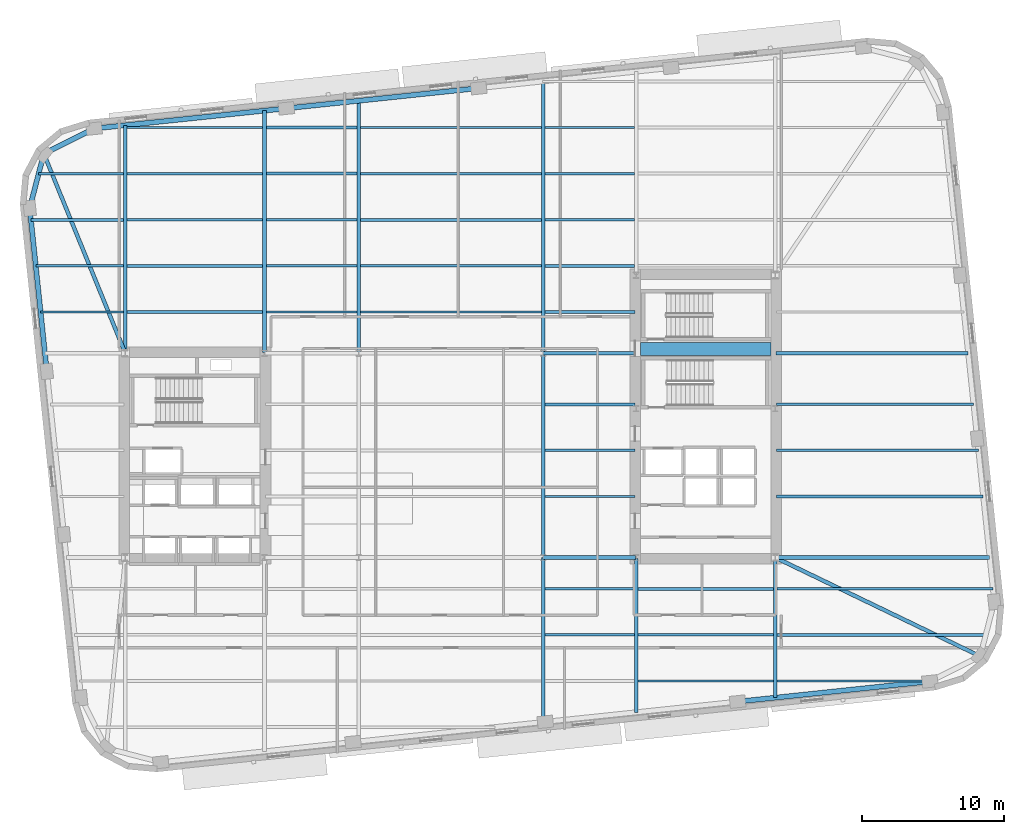
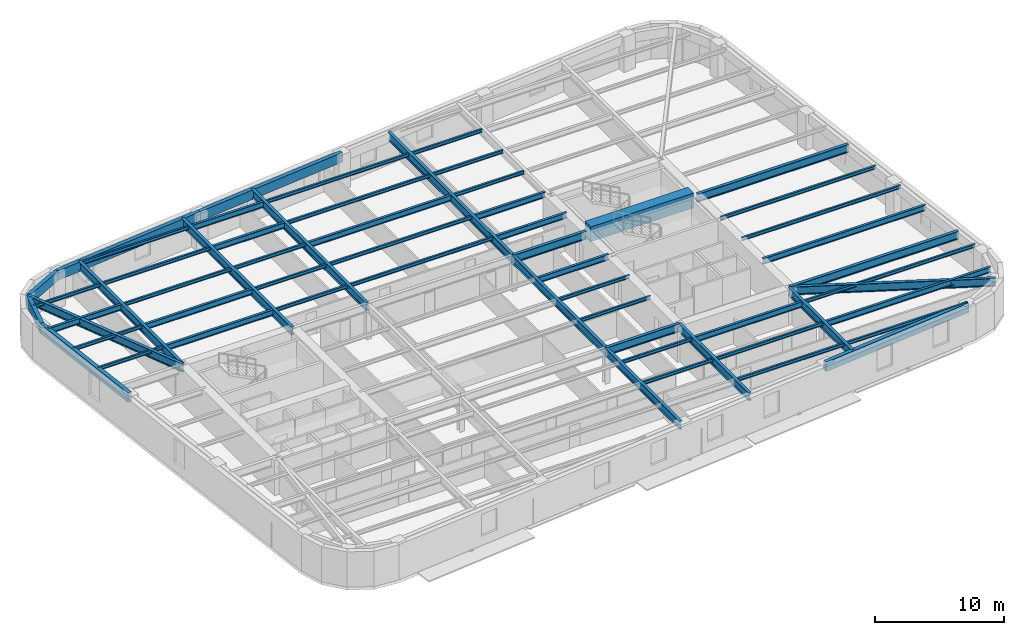
# One storey, part 2 of 12: 59 beams.
"""IFC4 building model written with IfcOpenShell, lengths in metres."""

from ifc_helpers import new_model, si_unit, direction, frame, origin, origin_2d, place, context, subcontext, project, spatial, rectangle, hollow_rectangle, i_section, extrude, material, material_profile, profile_set, type_object, element, save


model = new_model("IFC4")

# Units and contexts
model_context = context("Model", 3, precision=1e-05, world=origin(), true_north=direction((0.0, 1.0)))
body_context = subcontext(model_context, "Body", "Model", "MODEL_VIEW")
ifc_project = project(units=[si_unit("LENGTHUNIT", "METRE"), si_unit("AREAUNIT", "SQUARE_METRE"), si_unit("VOLUMEUNIT", "CUBIC_METRE"), si_unit("PLANEANGLEUNIT", "RADIAN"), si_unit("MASSUNIT", "GRAM", prefix="KILO")], contexts=[model_context])

# Site, building, storey
site_placement = place(None, origin())
site = spatial("IfcSite", under=ifc_project, at=site_placement, CompositionType="ELEMENT")
building_placement = place(site_placement, origin())
building = spatial("IfcBuilding", under=site, at=building_placement, Name="Kolvaren Arena Tower", CompositionType="ELEMENT")
storey_placement = place(building_placement, frame((0.0, 0.0, 149.5)))
storey = spatial("IfcBuildingStorey", under=building, at=storey_placement, Name="L35", CompositionType="ELEMENT", Elevation=149.5)

# Beams
ifc_material_1 = material(Name="Steel CSA G40.21 350W", Category="steel")
ifc_material_profile_1 = material_profile(ifc_material_1, i_section(OverallWidth=0.2119140625, OverallDepth=0.54296875, WebThickness=0.01318359375, FlangeThickness=0.0244140625, FilletRadius=0.013916015625, at=origin_2d()), Name="W530x150")
ifc_profile_set_1 = profile_set([ifc_material_profile_1], Name="Steel CSA G40.21 350W")
beam_type_1 = type_object("IfcBeamType", Name="BEAM-F1", PredefinedType="BEAM", material=ifc_profile_set_1)
beam_1_placement = place(storey_placement, frame((60.485107421875, 14.0, 3.05859375), z_axis=(1.0, 0.0, 0.0), x_axis=(0.0, 1.0, 0.0)))
element("IfcBeam", 1, at=beam_1_placement, inside=storey, type_object=beam_type_1, Name="Composite Floor Beam (L35)", PredefinedType="BEAM", context=body_context, shape_type="SweptSolid", body=[
    extrude(i_section(OverallWidth=0.2119140625, OverallDepth=0.54296875, WebThickness=0.01318359375, FlangeThickness=0.0244140625, FilletRadius=0.013916015625, at=origin_2d()), origin(), (0.0, 0.0, 1.0), 14.69677734375),
])
beam_2_placement = place(storey_placement, frame((50.68505859375, 17.25, 3.05859375), z_axis=(1.0, 0.0, 0.0), x_axis=(0.0, 1.0, 0.0)))
element("IfcBeam", 2, at=beam_2_placement, inside=storey, type_object=beam_type_1, Name="Composite Floor Beam (L35)", PredefinedType="BEAM", context=body_context, shape_type="SweptSolid", body=[
    extrude(i_section(OverallWidth=0.2119140625, OverallDepth=0.54296875, WebThickness=0.01318359375, FlangeThickness=0.0244140625, FilletRadius=0.013916015625, at=origin_2d()), origin(), (0.0, 0.0, 1.0), 9.530029296875),
])
beam_3_placement = place(storey_placement, frame((60.445068359375, 23.75, 3.05859375), z_axis=(1.0, 0.0, 0.0), x_axis=(0.0, 1.0, 0.0)))
element("IfcBeam", 3, at=beam_3_placement, inside=storey, type_object=beam_type_1, Name="Composite Floor Beam (L35)", PredefinedType="BEAM", context=body_context, shape_type="SweptSolid", body=[
    extrude(i_section(OverallWidth=0.2119140625, OverallDepth=0.54296875, WebThickness=0.01318359375, FlangeThickness=0.0244140625, FilletRadius=0.013916015625, at=origin_2d()), origin(), (0.0, 0.0, 1.0), 14.56103515625),
])
beam_4_placement = place(storey_placement, frame((44.135009765625, 30.25, 3.05859375), z_axis=(1.0, 0.0, 0.0), x_axis=(0.0, 1.0, 0.0)))
element("IfcBeam", 4, at=beam_4_placement, inside=storey, type_object=beam_type_1, Name="Composite Floor Beam (L35)", PredefinedType="BEAM", context=body_context, shape_type="SweptSolid", body=[
    extrude(i_section(OverallWidth=0.2119140625, OverallDepth=0.54296875, WebThickness=0.01318359375, FlangeThickness=0.0244140625, FilletRadius=0.013916015625, at=origin_2d()), origin(), (0.0, 0.0, 1.0), 6.320068359375),
])
beam_5_placement = place(storey_placement, frame((14.68505859375, 36.75, 3.05859375), z_axis=(1.0, 0.0, 0.0), x_axis=(0.0, 1.0, 0.0)))
element("IfcBeam", 5, at=beam_5_placement, inside=storey, type_object=beam_type_1, Name="Composite Floor Beam (L35)", PredefinedType="BEAM", context=body_context, shape_type="SweptSolid", body=[
    extrude(i_section(OverallWidth=0.2119140625, OverallDepth=0.54296875, WebThickness=0.01318359375, FlangeThickness=0.0244140625, FilletRadius=0.013916015625, at=origin_2d()), origin(), (0.0, 0.0, 1.0), 9.530029296875),
])
beam_6_placement = place(storey_placement, frame((44.135009765625, 36.75, 3.05859375), z_axis=(1.0, 0.0, 0.0), x_axis=(0.0, 1.0, 0.0)))
element("IfcBeam", 6, at=beam_6_placement, inside=storey, type_object=beam_type_1, Name="Composite Floor Beam (L35)", PredefinedType="BEAM", context=body_context, shape_type="SweptSolid", body=[
    extrude(i_section(OverallWidth=0.2119140625, OverallDepth=0.54296875, WebThickness=0.01318359375, FlangeThickness=0.0244140625, FilletRadius=0.013916015625, at=origin_2d()), origin(), (0.0, 0.0, 1.0), 6.320068359375),
])
beam_7_placement = place(storey_placement, frame((14.68505859375, 40.0, 3.05859375), z_axis=(1.0, 0.0, 0.0), x_axis=(0.0, 1.0, 0.0)))
element("IfcBeam", 7, at=beam_7_placement, inside=storey, type_object=beam_type_1, Name="Composite Floor Beam (L35)", PredefinedType="BEAM", context=body_context, shape_type="SweptSolid", body=[
    extrude(i_section(OverallWidth=0.2119140625, OverallDepth=0.54296875, WebThickness=0.01318359375, FlangeThickness=0.0244140625, FilletRadius=0.013916015625, at=origin_2d()), origin(), (0.0, 0.0, 1.0), 9.530029296875),
])
beam_8_placement = place(storey_placement, frame((44.135009765625, 40.0, 3.05859375), z_axis=(1.0, 0.0, 0.0), x_axis=(0.0, 1.0, 0.0)))
element("IfcBeam", 8, at=beam_8_placement, inside=storey, type_object=beam_type_1, Name="Composite Floor Beam (L35)", PredefinedType="BEAM", context=body_context, shape_type="SweptSolid", body=[
    extrude(i_section(OverallWidth=0.2119140625, OverallDepth=0.54296875, WebThickness=0.01318359375, FlangeThickness=0.0244140625, FilletRadius=0.013916015625, at=origin_2d()), origin(), (0.0, 0.0, 1.0), 6.280029296875),
])
beam_9_placement = place(storey_placement, frame((7.900146484375, 43.25, 3.05859375), z_axis=(1.0, 0.0, 0.0), x_axis=(0.0, 1.0, 0.0)))
element("IfcBeam", 9, at=beam_9_placement, inside=storey, type_object=beam_type_1, Name="Composite Floor Beam (L35)", PredefinedType="BEAM", context=body_context, shape_type="SweptSolid", body=[
    extrude(i_section(OverallWidth=0.2119140625, OverallDepth=0.54296875, WebThickness=0.01318359375, FlangeThickness=0.0244140625, FilletRadius=0.013916015625, at=origin_2d()), origin(), (0.0, 0.0, 1.0), 6.514892578125),
])
beam_10_placement = place(storey_placement, frame((31.135009765625, 43.25, 3.05859375), z_axis=(1.0, 0.0, 0.0), x_axis=(0.0, 1.0, 0.0)))
element("IfcBeam", 10, at=beam_10_placement, inside=storey, type_object=beam_type_1, Name="Composite Floor Beam (L35)", PredefinedType="BEAM", context=body_context, shape_type="SweptSolid", body=[
    extrude(i_section(OverallWidth=0.2119140625, OverallDepth=0.54296875, WebThickness=0.01318359375, FlangeThickness=0.0244140625, FilletRadius=0.013916015625, at=origin_2d()), origin(), (0.0, 0.0, 1.0), 12.72998046875),
])
for number, where, z_axis, x_axis, name in (
    (11, (24.485107421875, 46.5, 3.05859375), (1.0, 0.0, 0.0), (0.0, 1.0, 0.0), "Composite Floor Beam (L35)"),
    (12, (24.485107421875, 49.75, 3.05859375), (1.0, 0.0, 0.0), (0.0, 1.0, 0.0), "Composite Floor Beam (L35)"),
):
    element("IfcBeam", number, at=place(storey_placement, frame(where, z_axis=z_axis, x_axis=x_axis)), inside=storey, type_object=beam_type_1, Name=name, PredefinedType="BEAM", context=body_context, shape_type="SweptSolid", body=[
        extrude(i_section(OverallWidth=0.2119140625, OverallDepth=0.54296875, WebThickness=0.01318359375, FlangeThickness=0.0244140625, FilletRadius=0.013916015625, at=origin_2d()), origin(), (0.0, 0.0, 1.0), 6.3798828125),
    ])
ifc_material_2 = material(Name="Concrete 75 MPa", Category="concrete")
ifc_material_profile_2 = material_profile(ifc_material_2, rectangle(XDim=0.89990234375, YDim=1.39990234375, at=origin_2d()), Name="RC-900x1400")
ifc_profile_set_2 = profile_set([ifc_material_profile_2], Name="Concrete 75 MPa")
beam_type_2 = type_object("IfcBeamType", Name="CB-CORE-1", PredefinedType="BEAM", material=ifc_profile_set_2)
beam_11_placement = place(storey_placement, frame((50.85009765625, 34.14990234375, 2.89990234375), z_axis=(1.0, 0.0, 0.0), x_axis=(0.0, 1.0, 0.0)))
element("IfcBeam", 13, at=beam_11_placement, inside=storey, type_object=beam_type_2, Name="East Core Coupling Beam (L35)", PredefinedType="BEAM", context=body_context, shape_type="SweptSolid", body=[
    extrude(rectangle(XDim=0.89990234375, YDim=1.39990234375, at=origin_2d()), origin(), (0.0, 0.0, 1.0), 9.199951171875),
])
ifc_material_profile_3 = material_profile(ifc_material_1, i_section(OverallWidth=0.27001953125, OverallDepth=0.77294921875, WebThickness=0.019287109375, FlangeThickness=0.033447265625, FilletRadius=0.01806640625, at=origin_2d()), Name="W760x257")
ifc_profile_set_3 = profile_set([ifc_material_profile_3], Name="Steel CSA G40.21 350W")
beam_type_3 = type_object("IfcBeamType", Name="GIRD-T1", PredefinedType="BEAM", material=ifc_profile_set_3)
beam_12_placement = place(storey_placement, frame((74.790283203125, 12.49267578125, 2.943603515625), z_axis=(-0.900889626424, 0.43404824732, 0.0), x_axis=(-0.43404824732, -0.900889626424, 0.0)))
element("IfcBeam", 14, at=beam_12_placement, inside=storey, type_object=beam_type_3, Name="Corner Diagonal Tie Girder (L35)", PredefinedType="BEAM", context=body_context, shape_type="SweptSolid", body=[
    extrude(i_section(OverallWidth=0.27001953125, OverallDepth=0.77294921875, WebThickness=0.019287109375, FlangeThickness=0.033447265625, FilletRadius=0.01806640625, at=origin_2d()), origin(), (0.0, 0.0, 1.0), 16.02880859375),
])
beam_13_placement = place(storey_placement, frame((8.8095703125, 47.9072265625, 2.943603515625), z_axis=(0.378059288681, -0.925781385772, 0.0), x_axis=(0.925781385772, 0.378059288681, 0.0)))
element("IfcBeam", 15, at=beam_13_placement, inside=storey, type_object=beam_type_3, Name="Corner Diagonal Tie Girder (L35)", PredefinedType="BEAM", context=body_context, shape_type="SweptSolid", body=[
    extrude(i_section(OverallWidth=0.27001953125, OverallDepth=0.77294921875, WebThickness=0.019287109375, FlangeThickness=0.033447265625, FilletRadius=0.01806640625, at=origin_2d()), origin(), (0.0, 0.0, 1.0), 15.18408203125),
])
beam_14_placement = place(storey_placement, frame((44.0, 19.449951171875, 2.943603515625), z_axis=(1.0, 0.0, 0.0), x_axis=(0.0, 1.0, 0.0)))
element("IfcBeam", 16, at=beam_14_placement, inside=storey, type_object=beam_type_3, Name="Primary Floor Girder (L35)", PredefinedType="BEAM", context=body_context, shape_type="SweptSolid", body=[
    extrude(i_section(OverallWidth=0.27001953125, OverallDepth=0.77294921875, WebThickness=0.019287109375, FlangeThickness=0.033447265625, FilletRadius=0.01806640625, at=origin_2d()), origin(), (0.0, 0.0, 1.0), 6.4951171875),
])
beam_15_placement = place(storey_placement, frame((60.405029296875, 19.449951171875, 2.943603515625), z_axis=(1.0, 0.0, 0.0), x_axis=(0.0, 1.0, 0.0)))
element("IfcBeam", 17, at=beam_15_placement, inside=storey, type_object=beam_type_3, Name="Primary Floor Girder (L35)", PredefinedType="BEAM", context=body_context, shape_type="SweptSolid", body=[
    extrude(i_section(OverallWidth=0.27001953125, OverallDepth=0.77294921875, WebThickness=0.019287109375, FlangeThickness=0.033447265625, FilletRadius=0.01806640625, at=origin_2d()), origin(), (0.0, 0.0, 1.0), 15.052978515625),
])
beam_16_placement = place(storey_placement, frame((44.0, 33.85009765625, 2.943603515625), z_axis=(1.0, 0.0, 0.0), x_axis=(0.0, 1.0, 0.0)))
element("IfcBeam", 18, at=beam_16_placement, inside=storey, type_object=beam_type_3, Name="Primary Floor Girder (L35)", PredefinedType="BEAM", context=body_context, shape_type="SweptSolid", body=[
    extrude(i_section(OverallWidth=0.27001953125, OverallDepth=0.77294921875, WebThickness=0.019287109375, FlangeThickness=0.033447265625, FilletRadius=0.01806640625, at=origin_2d()), origin(), (0.0, 0.0, 1.0), 6.4951171875),
])
beam_17_placement = place(storey_placement, frame((60.405029296875, 33.85009765625, 2.943603515625), z_axis=(1.0, 0.0, 0.0), x_axis=(0.0, 1.0, 0.0)))
element("IfcBeam", 19, at=beam_17_placement, inside=storey, type_object=beam_type_3, Name="Primary Floor Girder (L35)", PredefinedType="BEAM", context=body_context, shape_type="SweptSolid", body=[
    extrude(i_section(OverallWidth=0.27001953125, OverallDepth=0.77294921875, WebThickness=0.019287109375, FlangeThickness=0.033447265625, FilletRadius=0.01806640625, at=origin_2d()), origin(), (0.0, 0.0, 1.0), 13.53955078125),
])
beam_18_placement = place(storey_placement, frame((14.550048828125, 33.905029296875, 2.943603515625), z_axis=(0.0, 1.0, 0.0), x_axis=(-1.0, 0.0, 0.0)))
element("IfcBeam", 20, at=beam_18_placement, inside=storey, type_object=beam_type_3, Name="Primary Floor Girder (L35)", PredefinedType="BEAM", context=body_context, shape_type="SweptSolid", body=[
    extrude(i_section(OverallWidth=0.27001953125, OverallDepth=0.77294921875, WebThickness=0.019287109375, FlangeThickness=0.033447265625, FilletRadius=0.01806640625, at=origin_2d()), origin(), (0.0, 0.0, 1.0), 16.004638671875),
])
beam_19_placement = place(storey_placement, frame((24.35009765625, 33.905029296875, 2.943603515625), z_axis=(0.0, 1.0, 0.0), x_axis=(-1.0, 0.0, 0.0)))
element("IfcBeam", 21, at=beam_19_placement, inside=storey, type_object=beam_type_3, Name="Primary Floor Girder (L35)", PredefinedType="BEAM", context=body_context, shape_type="SweptSolid", body=[
    extrude(i_section(OverallWidth=0.27001953125, OverallDepth=0.77294921875, WebThickness=0.019287109375, FlangeThickness=0.033447265625, FilletRadius=0.01806640625, at=origin_2d()), origin(), (0.0, 0.0, 1.0), 17.03466796875),
])
beam_20_placement = place(storey_placement, frame((31.0, 33.85009765625, 2.943603515625), z_axis=(0.0, 1.0, 0.0), x_axis=(-1.0, 0.0, 0.0)))
element("IfcBeam", 22, at=beam_20_placement, inside=storey, type_object=beam_type_3, Name="Primary Floor Girder (L35)", PredefinedType="BEAM", context=body_context, shape_type="SweptSolid", body=[
    extrude(i_section(OverallWidth=0.27001953125, OverallDepth=0.77294921875, WebThickness=0.019287109375, FlangeThickness=0.033447265625, FilletRadius=0.01806640625, at=origin_2d()), origin(), (0.0, 0.0, 1.0), 17.788330078125),
])
beam_21_placement = place(storey_placement, frame((44.0, 7.857666015625, 2.943603515625), z_axis=(0.0, 1.0, 0.0), x_axis=(-1.0, 0.0, 0.0)))
element("IfcBeam", 23, at=beam_21_placement, inside=storey, type_object=beam_type_3, Name="Primary Floor Girder (L35)", PredefinedType="BEAM", context=body_context, shape_type="SweptSolid", body=[
    extrude(i_section(OverallWidth=0.27001953125, OverallDepth=0.77294921875, WebThickness=0.019287109375, FlangeThickness=0.033447265625, FilletRadius=0.01806640625, at=origin_2d()), origin(), (0.0, 0.0, 1.0), 11.59228515625),
])
beam_22_placement = place(storey_placement, frame((44.0, 19.449951171875, 2.943603515625), z_axis=(0.0, 1.0, 0.0), x_axis=(-1.0, 0.0, 0.0)))
element("IfcBeam", 24, at=beam_22_placement, inside=storey, type_object=beam_type_3, Name="Primary Floor Girder (L35)", PredefinedType="BEAM", context=body_context, shape_type="SweptSolid", body=[
    extrude(i_section(OverallWidth=0.27001953125, OverallDepth=0.77294921875, WebThickness=0.019287109375, FlangeThickness=0.033447265625, FilletRadius=0.01806640625, at=origin_2d()), origin(), (0.0, 0.0, 1.0), 14.400146484375),
])
beam_23_placement = place(storey_placement, frame((44.0, 33.85009765625, 2.943603515625), z_axis=(0.0, 1.0, 0.0), x_axis=(-1.0, 0.0, 0.0)))
element("IfcBeam", 25, at=beam_23_placement, inside=storey, type_object=beam_type_3, Name="Primary Floor Girder (L35)", PredefinedType="BEAM", context=body_context, shape_type="SweptSolid", body=[
    extrude(i_section(OverallWidth=0.27001953125, OverallDepth=0.77294921875, WebThickness=0.019287109375, FlangeThickness=0.033447265625, FilletRadius=0.01806640625, at=origin_2d()), origin(), (0.0, 0.0, 1.0), 19.15478515625),
])
beam_24_placement = place(storey_placement, frame((50.550048828125, 8.5458984375, 2.943603515625), z_axis=(0.0, 1.0, 0.0), x_axis=(-1.0, 0.0, 0.0)))
element("IfcBeam", 26, at=beam_24_placement, inside=storey, type_object=beam_type_3, Name="Primary Floor Girder (L35)", PredefinedType="BEAM", context=body_context, shape_type="SweptSolid", body=[
    extrude(i_section(OverallWidth=0.27001953125, OverallDepth=0.77294921875, WebThickness=0.019287109375, FlangeThickness=0.033447265625, FilletRadius=0.01806640625, at=origin_2d()), origin(), (0.0, 0.0, 1.0), 10.84912109375),
])
beam_25_placement = place(storey_placement, frame((60.35009765625, 9.575927734375, 2.943603515625), z_axis=(0.0, 1.0, 0.0), x_axis=(-1.0, 0.0, 0.0)))
element("IfcBeam", 27, at=beam_25_placement, inside=storey, type_object=beam_type_3, Name="Primary Floor Girder (L35)", PredefinedType="BEAM", context=body_context, shape_type="SweptSolid", body=[
    extrude(i_section(OverallWidth=0.27001953125, OverallDepth=0.77294921875, WebThickness=0.019287109375, FlangeThickness=0.033447265625, FilletRadius=0.01806640625, at=origin_2d()), origin(), (0.0, 0.0, 1.0), 9.819091796875),
])
ifc_material_profile_4 = material_profile(ifc_material_1, i_section(OverallWidth=0.1669921875, OverallDepth=0.31689453125, WebThickness=0.007568359375, FlangeThickness=0.01318359375, FilletRadius=0.010009765625, at=origin_2d()), Name="W310x52")
ifc_profile_set_4 = profile_set([ifc_material_profile_4], Name="Steel CSA G40.21 350W")
beam_type_4 = type_object("IfcBeamType", Name="JOIST-02", PredefinedType="JOIST", material=ifc_profile_set_4)
beam_26_placement = place(storey_placement, frame((50.68505859375, 10.75, 3.17138671875), z_axis=(1.0, 0.0, 0.0), x_axis=(0.0, 1.0, 0.0)))
element("IfcBeam", 28, at=beam_26_placement, inside=storey, type_object=beam_type_4, Name="Composite Floor Joist (L35)", PredefinedType="JOIST", context=body_context, shape_type="SweptSolid", body=[
    extrude(i_section(OverallWidth=0.1669921875, OverallDepth=0.31689453125, WebThickness=0.007568359375, FlangeThickness=0.01318359375, FilletRadius=0.010009765625, at=origin_2d()), origin(), (0.0, 0.0, 1.0), 9.530029296875),
])
beam_27_placement = place(storey_placement, frame((60.485107421875, 10.75, 3.17138671875), z_axis=(1.0, 0.0, 0.0), x_axis=(0.0, 1.0, 0.0)))
element("IfcBeam", 29, at=beam_27_placement, inside=storey, type_object=beam_type_4, Name="Composite Floor Joist (L35)", PredefinedType="JOIST", context=body_context, shape_type="SweptSolid", body=[
    extrude(i_section(OverallWidth=0.1669921875, OverallDepth=0.31689453125, WebThickness=0.007568359375, FlangeThickness=0.01318359375, FilletRadius=0.010009765625, at=origin_2d()), origin(), (0.0, 0.0, 1.0), 10.819580078125),
])
beam_28_placement = place(storey_placement, frame((44.135009765625, 14.0, 3.17138671875), z_axis=(1.0, 0.0, 0.0), x_axis=(0.0, 1.0, 0.0)))
element("IfcBeam", 30, at=beam_28_placement, inside=storey, type_object=beam_type_4, Name="Composite Floor Joist (L35)", PredefinedType="JOIST", context=body_context, shape_type="SweptSolid", body=[
    extrude(i_section(OverallWidth=0.1669921875, OverallDepth=0.31689453125, WebThickness=0.007568359375, FlangeThickness=0.01318359375, FilletRadius=0.010009765625, at=origin_2d()), origin(), (0.0, 0.0, 1.0), 6.280029296875),
])
beam_29_placement = place(storey_placement, frame((50.68505859375, 14.0, 3.17138671875), z_axis=(1.0, 0.0, 0.0), x_axis=(0.0, 1.0, 0.0)))
element("IfcBeam", 31, at=beam_29_placement, inside=storey, type_object=beam_type_4, Name="Composite Floor Joist (L35)", PredefinedType="JOIST", context=body_context, shape_type="SweptSolid", body=[
    extrude(i_section(OverallWidth=0.1669921875, OverallDepth=0.31689453125, WebThickness=0.007568359375, FlangeThickness=0.01318359375, FilletRadius=0.010009765625, at=origin_2d()), origin(), (0.0, 0.0, 1.0), 9.530029296875),
])
beam_30_placement = place(storey_placement, frame((44.135009765625, 17.25, 3.17138671875), z_axis=(1.0, 0.0, 0.0), x_axis=(0.0, 1.0, 0.0)))
element("IfcBeam", 32, at=beam_30_placement, inside=storey, type_object=beam_type_4, Name="Composite Floor Joist (L35)", PredefinedType="JOIST", context=body_context, shape_type="SweptSolid", body=[
    extrude(i_section(OverallWidth=0.1669921875, OverallDepth=0.31689453125, WebThickness=0.007568359375, FlangeThickness=0.01318359375, FilletRadius=0.010009765625, at=origin_2d()), origin(), (0.0, 0.0, 1.0), 6.280029296875),
])
beam_31_placement = place(storey_placement, frame((60.485107421875, 17.25, 3.17138671875), z_axis=(1.0, 0.0, 0.0), x_axis=(0.0, 1.0, 0.0)))
element("IfcBeam", 33, at=beam_31_placement, inside=storey, type_object=beam_type_4, Name="Composite Floor Joist (L35)", PredefinedType="JOIST", context=body_context, shape_type="SweptSolid", body=[
    extrude(i_section(OverallWidth=0.1669921875, OverallDepth=0.31689453125, WebThickness=0.007568359375, FlangeThickness=0.01318359375, FilletRadius=0.010009765625, at=origin_2d()), origin(), (0.0, 0.0, 1.0), 15.2041015625),
])
for number, where, z_axis, x_axis, name in (
    (34, (44.135009765625, 23.75, 3.17138671875), (1.0, 0.0, 0.0), (0.0, 1.0, 0.0), "Composite Floor Joist (L35)"),
    (35, (44.135009765625, 27.0, 3.17138671875), (1.0, 0.0, 0.0), (0.0, 1.0, 0.0), "Composite Floor Joist (L35)"),
):
    element("IfcBeam", number, at=place(storey_placement, frame(where, z_axis=z_axis, x_axis=x_axis)), inside=storey, type_object=beam_type_4, Name=name, PredefinedType="JOIST", context=body_context, shape_type="SweptSolid", body=[
        extrude(i_section(OverallWidth=0.1669921875, OverallDepth=0.31689453125, WebThickness=0.007568359375, FlangeThickness=0.01318359375, FilletRadius=0.010009765625, at=origin_2d()), origin(), (0.0, 0.0, 1.0), 6.320068359375),
    ])
beam_32_placement = place(storey_placement, frame((60.445068359375, 27.0, 3.17138671875), z_axis=(1.0, 0.0, 0.0), x_axis=(0.0, 1.0, 0.0)))
element("IfcBeam", 36, at=beam_32_placement, inside=storey, type_object=beam_type_4, Name="Composite Floor Joist (L35)", PredefinedType="JOIST", context=body_context, shape_type="SweptSolid", body=[
    extrude(i_section(OverallWidth=0.1669921875, OverallDepth=0.31689453125, WebThickness=0.007568359375, FlangeThickness=0.01318359375, FilletRadius=0.010009765625, at=origin_2d()), origin(), (0.0, 0.0, 1.0), 14.219482421875),
])
beam_33_placement = place(storey_placement, frame((60.445068359375, 30.25, 3.17138671875), z_axis=(1.0, 0.0, 0.0), x_axis=(0.0, 1.0, 0.0)))
element("IfcBeam", 37, at=beam_33_placement, inside=storey, type_object=beam_type_4, Name="Composite Floor Joist (L35)", PredefinedType="JOIST", context=body_context, shape_type="SweptSolid", body=[
    extrude(i_section(OverallWidth=0.1669921875, OverallDepth=0.31689453125, WebThickness=0.007568359375, FlangeThickness=0.01318359375, FilletRadius=0.010009765625, at=origin_2d()), origin(), (0.0, 0.0, 1.0), 13.8779296875),
])
beam_34_placement = place(storey_placement, frame((8.58349609375, 36.75, 3.17138671875), z_axis=(1.0, 0.0, 0.0), x_axis=(0.0, 1.0, 0.0)))
element("IfcBeam", 38, at=beam_34_placement, inside=storey, type_object=beam_type_4, Name="Composite Floor Joist (L35)", PredefinedType="JOIST", context=body_context, shape_type="SweptSolid", body=[
    extrude(i_section(OverallWidth=0.1669921875, OverallDepth=0.31689453125, WebThickness=0.007568359375, FlangeThickness=0.01318359375, FilletRadius=0.010009765625, at=origin_2d()), origin(), (0.0, 0.0, 1.0), 5.83154296875),
])
beam_35_placement = place(storey_placement, frame((24.485107421875, 36.75, 3.17138671875), z_axis=(1.0, 0.0, 0.0), x_axis=(0.0, 1.0, 0.0)))
element("IfcBeam", 39, at=beam_35_placement, inside=storey, type_object=beam_type_4, Name="Composite Floor Joist (L35)", PredefinedType="JOIST", context=body_context, shape_type="SweptSolid", body=[
    extrude(i_section(OverallWidth=0.1669921875, OverallDepth=0.31689453125, WebThickness=0.007568359375, FlangeThickness=0.01318359375, FilletRadius=0.010009765625, at=origin_2d()), origin(), (0.0, 0.0, 1.0), 6.3798828125),
])
beam_36_placement = place(storey_placement, frame((31.135009765625, 36.75, 3.17138671875), z_axis=(1.0, 0.0, 0.0), x_axis=(0.0, 1.0, 0.0)))
element("IfcBeam", 40, at=beam_36_placement, inside=storey, type_object=beam_type_4, Name="Composite Floor Joist (L35)", PredefinedType="JOIST", context=body_context, shape_type="SweptSolid", body=[
    extrude(i_section(OverallWidth=0.1669921875, OverallDepth=0.31689453125, WebThickness=0.007568359375, FlangeThickness=0.01318359375, FilletRadius=0.010009765625, at=origin_2d()), origin(), (0.0, 0.0, 1.0), 12.72998046875),
])
beam_37_placement = place(storey_placement, frame((8.24169921875, 40.0, 3.17138671875), z_axis=(1.0, 0.0, 0.0), x_axis=(0.0, 1.0, 0.0)))
element("IfcBeam", 41, at=beam_37_placement, inside=storey, type_object=beam_type_4, Name="Composite Floor Joist (L35)", PredefinedType="JOIST", context=body_context, shape_type="SweptSolid", body=[
    extrude(i_section(OverallWidth=0.1669921875, OverallDepth=0.31689453125, WebThickness=0.007568359375, FlangeThickness=0.01318359375, FilletRadius=0.010009765625, at=origin_2d()), origin(), (0.0, 0.0, 1.0), 6.17333984375),
])
beam_38_placement = place(storey_placement, frame((24.485107421875, 40.0, 3.17138671875), z_axis=(1.0, 0.0, 0.0), x_axis=(0.0, 1.0, 0.0)))
element("IfcBeam", 42, at=beam_38_placement, inside=storey, type_object=beam_type_4, Name="Composite Floor Joist (L35)", PredefinedType="JOIST", context=body_context, shape_type="SweptSolid", body=[
    extrude(i_section(OverallWidth=0.1669921875, OverallDepth=0.31689453125, WebThickness=0.007568359375, FlangeThickness=0.01318359375, FilletRadius=0.010009765625, at=origin_2d()), origin(), (0.0, 0.0, 1.0), 6.3798828125),
])
beam_39_placement = place(storey_placement, frame((31.135009765625, 40.0, 3.17138671875), z_axis=(1.0, 0.0, 0.0), x_axis=(0.0, 1.0, 0.0)))
element("IfcBeam", 43, at=beam_39_placement, inside=storey, type_object=beam_type_4, Name="Composite Floor Joist (L35)", PredefinedType="JOIST", context=body_context, shape_type="SweptSolid", body=[
    extrude(i_section(OverallWidth=0.1669921875, OverallDepth=0.31689453125, WebThickness=0.007568359375, FlangeThickness=0.01318359375, FilletRadius=0.010009765625, at=origin_2d()), origin(), (0.0, 0.0, 1.0), 12.72998046875),
])
beam_40_placement = place(storey_placement, frame((14.68505859375, 43.25, 3.17138671875), z_axis=(1.0, 0.0, 0.0), x_axis=(0.0, 1.0, 0.0)))
element("IfcBeam", 44, at=beam_40_placement, inside=storey, type_object=beam_type_4, Name="Composite Floor Joist (L35)", PredefinedType="JOIST", context=body_context, shape_type="SweptSolid", body=[
    extrude(i_section(OverallWidth=0.1669921875, OverallDepth=0.31689453125, WebThickness=0.007568359375, FlangeThickness=0.01318359375, FilletRadius=0.010009765625, at=origin_2d()), origin(), (0.0, 0.0, 1.0), 9.530029296875),
])
beam_41_placement = place(storey_placement, frame((24.485107421875, 43.25, 3.17138671875), z_axis=(1.0, 0.0, 0.0), x_axis=(0.0, 1.0, 0.0)))
element("IfcBeam", 45, at=beam_41_placement, inside=storey, type_object=beam_type_4, Name="Composite Floor Joist (L35)", PredefinedType="JOIST", context=body_context, shape_type="SweptSolid", body=[
    extrude(i_section(OverallWidth=0.1669921875, OverallDepth=0.31689453125, WebThickness=0.007568359375, FlangeThickness=0.01318359375, FilletRadius=0.010009765625, at=origin_2d()), origin(), (0.0, 0.0, 1.0), 6.3798828125),
])
beam_42_placement = place(storey_placement, frame((44.135009765625, 43.25, 3.17138671875), z_axis=(1.0, 0.0, 0.0), x_axis=(0.0, 1.0, 0.0)))
element("IfcBeam", 46, at=beam_42_placement, inside=storey, type_object=beam_type_4, Name="Composite Floor Joist (L35)", PredefinedType="JOIST", context=body_context, shape_type="SweptSolid", body=[
    extrude(i_section(OverallWidth=0.1669921875, OverallDepth=0.31689453125, WebThickness=0.007568359375, FlangeThickness=0.01318359375, FilletRadius=0.010009765625, at=origin_2d()), origin(), (0.0, 0.0, 1.0), 6.280029296875),
])
beam_43_placement = place(storey_placement, frame((8.444091796875, 46.5, 3.17138671875), z_axis=(1.0, 0.0, 0.0), x_axis=(0.0, 1.0, 0.0)))
element("IfcBeam", 47, at=beam_43_placement, inside=storey, type_object=beam_type_4, Name="Composite Floor Joist (L35)", PredefinedType="JOIST", context=body_context, shape_type="SweptSolid", body=[
    extrude(i_section(OverallWidth=0.1669921875, OverallDepth=0.31689453125, WebThickness=0.007568359375, FlangeThickness=0.01318359375, FilletRadius=0.010009765625, at=origin_2d()), origin(), (0.0, 0.0, 1.0), 5.970947265625),
])
beam_44_placement = place(storey_placement, frame((14.68505859375, 46.5, 3.17138671875), z_axis=(1.0, 0.0, 0.0), x_axis=(0.0, 1.0, 0.0)))
element("IfcBeam", 48, at=beam_44_placement, inside=storey, type_object=beam_type_4, Name="Composite Floor Joist (L35)", PredefinedType="JOIST", context=body_context, shape_type="SweptSolid", body=[
    extrude(i_section(OverallWidth=0.1669921875, OverallDepth=0.31689453125, WebThickness=0.007568359375, FlangeThickness=0.01318359375, FilletRadius=0.010009765625, at=origin_2d()), origin(), (0.0, 0.0, 1.0), 9.530029296875),
])
beam_45_placement = place(storey_placement, frame((31.135009765625, 46.5, 3.17138671875), z_axis=(1.0, 0.0, 0.0), x_axis=(0.0, 1.0, 0.0)))
element("IfcBeam", 49, at=beam_45_placement, inside=storey, type_object=beam_type_4, Name="Composite Floor Joist (L35)", PredefinedType="JOIST", context=body_context, shape_type="SweptSolid", body=[
    extrude(i_section(OverallWidth=0.1669921875, OverallDepth=0.31689453125, WebThickness=0.007568359375, FlangeThickness=0.01318359375, FilletRadius=0.010009765625, at=origin_2d()), origin(), (0.0, 0.0, 1.0), 12.72998046875),
])
beam_46_placement = place(storey_placement, frame((44.135009765625, 46.5, 3.17138671875), z_axis=(1.0, 0.0, 0.0), x_axis=(0.0, 1.0, 0.0)))
element("IfcBeam", 50, at=beam_46_placement, inside=storey, type_object=beam_type_4, Name="Composite Floor Joist (L35)", PredefinedType="JOIST", context=body_context, shape_type="SweptSolid", body=[
    extrude(i_section(OverallWidth=0.1669921875, OverallDepth=0.31689453125, WebThickness=0.007568359375, FlangeThickness=0.01318359375, FilletRadius=0.010009765625, at=origin_2d()), origin(), (0.0, 0.0, 1.0), 6.280029296875),
])
beam_47_placement = place(storey_placement, frame((14.68505859375, 49.75, 3.17138671875), z_axis=(1.0, 0.0, 0.0), x_axis=(0.0, 1.0, 0.0)))
element("IfcBeam", 51, at=beam_47_placement, inside=storey, type_object=beam_type_4, Name="Composite Floor Joist (L35)", PredefinedType="JOIST", context=body_context, shape_type="SweptSolid", body=[
    extrude(i_section(OverallWidth=0.1669921875, OverallDepth=0.31689453125, WebThickness=0.007568359375, FlangeThickness=0.01318359375, FilletRadius=0.010009765625, at=origin_2d()), origin(), (0.0, 0.0, 1.0), 9.530029296875),
])
beam_48_placement = place(storey_placement, frame((31.135009765625, 49.75, 3.17138671875), z_axis=(1.0, 0.0, 0.0), x_axis=(0.0, 1.0, 0.0)))
element("IfcBeam", 52, at=beam_48_placement, inside=storey, type_object=beam_type_4, Name="Composite Floor Joist (L35)", PredefinedType="JOIST", context=body_context, shape_type="SweptSolid", body=[
    extrude(i_section(OverallWidth=0.1669921875, OverallDepth=0.31689453125, WebThickness=0.007568359375, FlangeThickness=0.01318359375, FilletRadius=0.010009765625, at=origin_2d()), origin(), (0.0, 0.0, 1.0), 12.72998046875),
])
beam_49_placement = place(storey_placement, frame((44.135009765625, 49.75, 3.17138671875), z_axis=(1.0, 0.0, 0.0), x_axis=(0.0, 1.0, 0.0)))
element("IfcBeam", 53, at=beam_49_placement, inside=storey, type_object=beam_type_4, Name="Composite Floor Joist (L35)", PredefinedType="JOIST", context=body_context, shape_type="SweptSolid", body=[
    extrude(i_section(OverallWidth=0.1669921875, OverallDepth=0.31689453125, WebThickness=0.007568359375, FlangeThickness=0.01318359375, FilletRadius=0.010009765625, at=origin_2d()), origin(), (0.0, 0.0, 1.0), 6.280029296875),
])
ifc_material_3 = material(Name="Steel CSA G40.21 350WT", Category="steel")
ifc_material_profile_5 = material_profile(ifc_material_3, hollow_rectangle(XDim=0.35009765625, YDim=0.89990234375, WallThickness=0.02001953125, at=origin_2d()), Name="HSS 900x350x20")
ifc_profile_set_5 = profile_set([ifc_material_profile_5], Name="Steel CSA G40.21 350WT")
beam_type_5 = type_object("IfcBeamType", Name="SPAND-01", PredefinedType="SPANDREL", material=ifc_profile_set_5)
for number, where, z_axis, x_axis, name in (
    (54, (57.697021484375, 9.297119140625, 2.8798828125), (0.994520955135, 0.104537408603, 0.0), (-0.104537408603, 0.994520955135, 0.0), "Perimeter Spandrel Beam (L35)"),
    (55, (39.453369140625, 52.527099609375, 2.8798828125), (-0.994520955135, -0.104537408603, 0.0), (0.104537408603, -0.994520955135, 0.0), "Perimeter Spandrel Beam (L35)"),
):
    element("IfcBeam", number, at=place(storey_placement, frame(where, z_axis=z_axis, x_axis=x_axis)), inside=storey, type_object=beam_type_5, Name=name, PredefinedType="SPANDREL", context=body_context, shape_type="SweptSolid", body=[
        extrude(hollow_rectangle(XDim=0.35009765625, YDim=0.89990234375, WallThickness=0.02001953125, at=origin_2d()), origin(), (0.0, 0.0, 1.0), 13.625),
    ])
beam_50_placement = place(storey_placement, frame((25.903076171875, 51.102783203125, 2.8798828125), z_axis=(-0.994523013632, -0.104517823154, 0.0), x_axis=(0.104517823154, -0.994523013632, 0.0)))
element("IfcBeam", 56, at=beam_50_placement, inside=storey, type_object=beam_type_5, Name="Perimeter Spandrel Beam (L35)", PredefinedType="SPANDREL", context=body_context, shape_type="SweptSolid", body=[
    extrude(hollow_rectangle(XDim=0.35009765625, YDim=0.89990234375, WallThickness=0.02001953125, at=origin_2d()), origin(), (0.0, 0.0, 1.0), 13.625244140625),
])
beam_51_placement = place(storey_placement, frame((12.3525390625, 49.6787109375, 2.8798828125), z_axis=(-0.894427191, -0.4472135955, 0.0), x_axis=(0.4472135955, -0.894427191, 0.0)))
element("IfcBeam", 57, at=beam_51_placement, inside=storey, type_object=beam_type_5, Name="Perimeter Spandrel Beam (L35)", PredefinedType="SPANDREL", context=body_context, shape_type="SweptSolid", body=[
    extrude(hollow_rectangle(XDim=0.35009765625, YDim=0.89990234375, WallThickness=0.02001953125, at=origin_2d()), origin(), (0.0, 0.0, 1.0), 3.961181640625),
])
beam_52_placement = place(storey_placement, frame((8.8095703125, 47.9072265625, 2.8798828125), z_axis=(-0.25141561169, -0.96787922294, 0.0), x_axis=(0.96787922294, -0.25141561169, 0.0)))
element("IfcBeam", 58, at=beam_52_placement, inside=storey, type_object=beam_type_5, Name="Perimeter Spandrel Beam (L35)", PredefinedType="SPANDREL", context=body_context, shape_type="SweptSolid", body=[
    extrude(hollow_rectangle(XDim=0.35009765625, YDim=0.89990234375, WallThickness=0.02001953125, at=origin_2d()), origin(), (0.0, 0.0, 1.0), 3.9609375),
])
beam_53_placement = place(storey_placement, frame((7.813720703125, 44.073486328125, 2.8798828125), z_axis=(0.104524366116, -0.994522325988, 0.0), x_axis=(0.994522325988, 0.104524366116, 0.0)))
element("IfcBeam", 59, at=beam_53_placement, inside=storey, type_object=beam_type_5, Name="Perimeter Spandrel Beam (L35)", PredefinedType="SPANDREL", context=body_context, shape_type="SweptSolid", body=[
    extrude(hollow_rectangle(XDim=0.35009765625, YDim=0.89990234375, WallThickness=0.02001953125, at=origin_2d()), origin(), (0.0, 0.0, 1.0), 11.566650390625),
])

save(model, "model.ifc")
